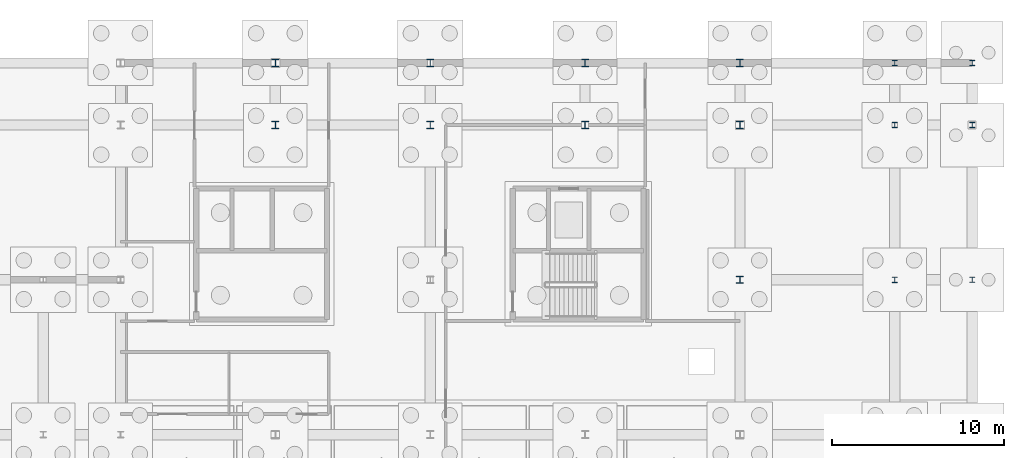
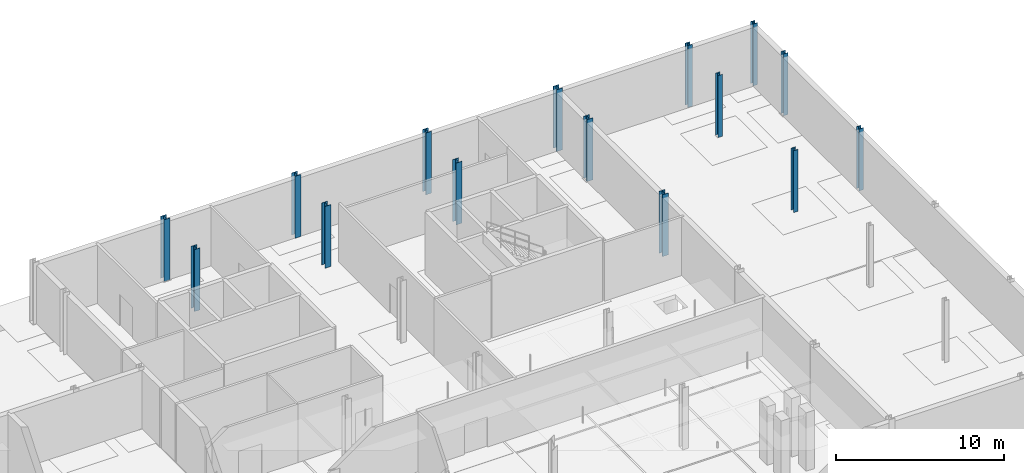
# One storey, part 17 of 48: 15 columns.
"""IFC4 building model written with IfcOpenShell, lengths in metres."""

from ifc_helpers import new_model, si_unit, direction, frame, origin, origin_2d, place, context, subcontext, project, spatial, i_section, extrude, material, material_profile, profile_set, type_object, element, save


model = new_model("IFC4")

# Units and contexts
model_context = context("Model", 3, precision=1e-05, world=origin(), true_north=direction((0.0, 1.0)))
body_context = subcontext(model_context, "Body", "Model", "MODEL_VIEW")
ifc_project = project(units=[si_unit("LENGTHUNIT", "METRE"), si_unit("AREAUNIT", "SQUARE_METRE"), si_unit("VOLUMEUNIT", "CUBIC_METRE"), si_unit("PLANEANGLEUNIT", "RADIAN"), si_unit("MASSUNIT", "GRAM", prefix="KILO"), si_unit("THERMODYNAMICTEMPERATUREUNIT", "KELVIN"), si_unit("POWERUNIT", "WATT")], contexts=[model_context])

# Site, building, storey
site_placement = place(None, origin())
site = spatial("IfcSite", under=ifc_project, at=site_placement, CompositionType="ELEMENT")
building_placement = place(site_placement, origin())
building = spatial("IfcBuilding", under=site, at=building_placement, Name="Tallowbark Science Centre", CompositionType="ELEMENT")
storey_placement = place(building_placement, frame((0.0, 0.0, -4.5)))
storey = spatial("IfcBuildingStorey", under=building, at=storey_placement, Name="B1", CompositionType="ELEMENT", Elevation=-4.5)

# Columns
ifc_material = material(Name="Structural Steel Grade 300PLUS (300 MPa)", Category="steel")
ifc_material_profile_1 = material_profile(ifc_material, i_section(OverallWidth=0.30908203125, OverallDepth=0.320556640625, WebThickness=0.013916015625, FlangeThickness=0.021728515625, FilletRadius=0.0166015625, at=origin_2d()), Name="310UC137")
ifc_profile_set_1 = profile_set([ifc_material_profile_1], Name="Structural Steel Grade 300PLUS (300 MPa)")
column_type_1 = type_object("IfcColumnType", Name="COL-UC310B", PredefinedType="COLUMN", material=ifc_profile_set_1)
for number, where, z_axis, x_axis, name in (
    (1, (157.5, 99.0, 0.0), (0.0, 0.0, 1.0), (1.0, 0.0, 0.0), "Column OBS-5_3 B1"),
    (2, (157.5, 108.0, 0.0), (0.0, 0.0, 1.0), (1.0, 0.0, 0.0), "Column OBS-5_4 B1"),
    (3, (157.5, 111.60009765625, 0.0), (0.0, 0.0, 1.0), (1.0, 0.0, 0.0), "Column OBS-5_5 B1"),
):
    element("IfcColumn", number, at=place(storey_placement, frame(where, z_axis=z_axis, x_axis=x_axis)), inside=storey, type_object=column_type_1, Name=name, PredefinedType="COLUMN", context=body_context, shape_type="SweptSolid", body=[
        extrude(i_section(OverallWidth=0.30908203125, OverallDepth=0.320556640625, WebThickness=0.013916015625, FlangeThickness=0.021728515625, FilletRadius=0.0166015625, at=origin_2d()), origin(), (0.0, 0.0, 1.0), 4.5),
    ])
ifc_material_profile_2 = material_profile(ifc_material, i_section(OverallWidth=0.307373046875, OverallDepth=0.314697265625, WebThickness=0.011962890625, FlangeThickness=0.018798828125, FilletRadius=0.0166015625, at=origin_2d()), Name="310UC118")
ifc_profile_set_2 = profile_set([ifc_material_profile_2], Name="Structural Steel Grade 300PLUS (300 MPa)")
column_type_2 = type_object("IfcColumnType", Name="COL-UC310C", PredefinedType="COLUMN", material=ifc_profile_set_2)
for number, where, z_axis, x_axis, name in (
    (4, (162.0, 99.0, 0.0), (0.0, 0.0, 1.0), (1.0, 0.0, 0.0), "Column OBS-6_3 B1"),
    (5, (162.0, 108.0, 0.0), (0.0, 0.0, 1.0), (1.0, 0.0, 0.0), "Column OBS-6_4 B1"),
    (6, (162.0, 111.60009765625, 0.0), (0.0, 0.0, 1.0), (1.0, 0.0, 0.0), "Column OBS-6_5 B1"),
):
    element("IfcColumn", number, at=place(storey_placement, frame(where, z_axis=z_axis, x_axis=x_axis)), inside=storey, type_object=column_type_2, Name=name, PredefinedType="COLUMN", context=body_context, shape_type="SweptSolid", body=[
        extrude(i_section(OverallWidth=0.307373046875, OverallDepth=0.314697265625, WebThickness=0.011962890625, FlangeThickness=0.018798828125, FilletRadius=0.0166015625, at=origin_2d()), origin(), (0.0, 0.0, 1.0), 4.5),
    ])
ifc_material_profile_3 = material_profile(ifc_material, i_section(OverallWidth=0.39990234375, OverallDepth=0.427978515625, WebThickness=0.02001953125, FlangeThickness=0.028076171875, FilletRadius=0.01611328125, at=origin_2d()), Name="400WC270")
ifc_profile_set_3 = profile_set([ifc_material_profile_3], Name="Structural Steel Grade 300PLUS (300 MPa)")
column_type_3 = type_object("IfcColumnType", Name="COL-WC400", PredefinedType="COLUMN", material=ifc_profile_set_3)
for number, where, z_axis, x_axis, name in (
    (7, (121.5, 108.0, 0.0), (0.0, 0.0, 1.0), (1.0, 0.0, 0.0), "Column OBS-1_4 B1"),
    (8, (121.5, 111.60009765625, 0.0), (0.0, 0.0, 1.0), (1.0, 0.0, 0.0), "Column OBS-1_5 B1"),
    (9, (130.5, 108.0, 0.0), (0.0, 0.0, 1.0), (1.0, 0.0, 0.0), "Column OBS-2_4 B1"),
    (10, (130.5, 111.60009765625, 0.0), (0.0, 0.0, 1.0), (1.0, 0.0, 0.0), "Column OBS-2_5 B1"),
    (11, (139.5, 108.0, 0.0), (0.0, 0.0, 1.0), (1.0, 0.0, 0.0), "Column OBS-3_4 B1"),
    (12, (139.5, 111.60009765625, 0.0), (0.0, 0.0, 1.0), (1.0, 0.0, 0.0), "Column OBS-3_5 B1"),
    (13, (148.5, 99.0, 0.0), (0.0, 0.0, 1.0), (1.0, 0.0, 0.0), "Column OBS-4_3 B1"),
    (14, (148.5, 108.0, 0.0), (0.0, 0.0, 1.0), (1.0, 0.0, 0.0), "Column OBS-4_4 B1"),
    (15, (148.5, 111.60009765625, 0.0), (0.0, 0.0, 1.0), (1.0, 0.0, 0.0), "Column OBS-4_5 B1"),
):
    element("IfcColumn", number, at=place(storey_placement, frame(where, z_axis=z_axis, x_axis=x_axis)), inside=storey, type_object=column_type_3, Name=name, PredefinedType="COLUMN", context=body_context, shape_type="SweptSolid", body=[
        extrude(i_section(OverallWidth=0.39990234375, OverallDepth=0.427978515625, WebThickness=0.02001953125, FlangeThickness=0.028076171875, FilletRadius=0.01611328125, at=origin_2d()), origin(), (0.0, 0.0, 1.0), 4.5),
    ])

save(model, "model.ifc")
